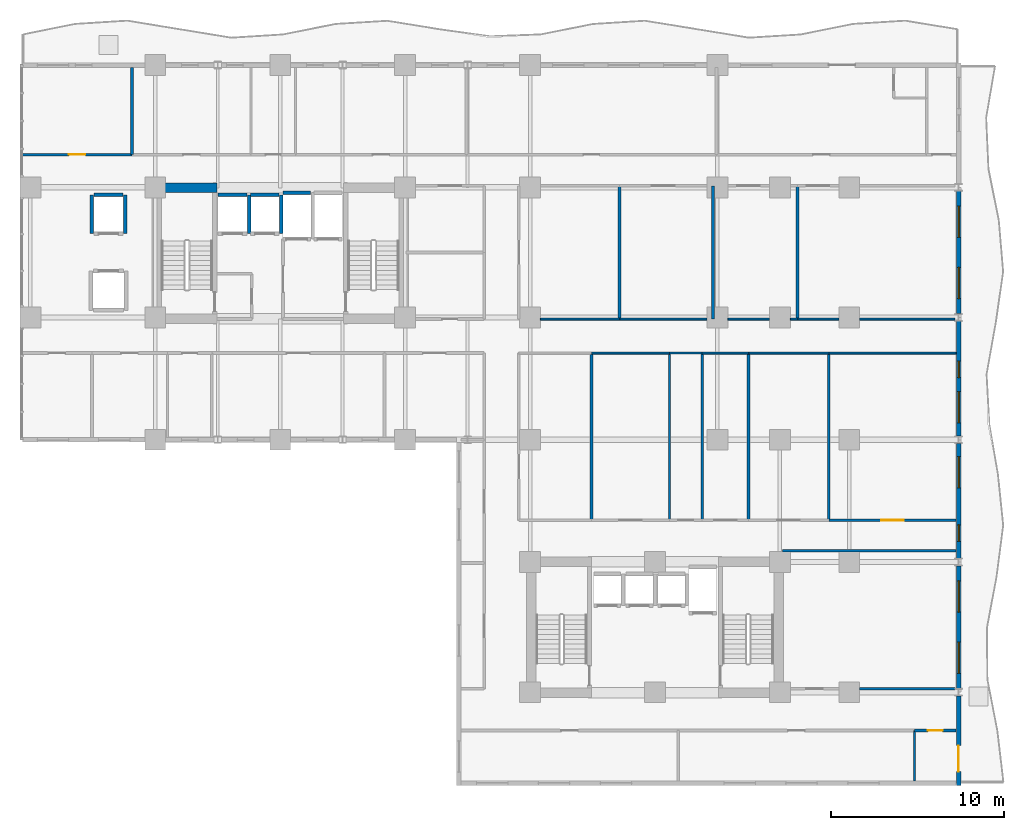
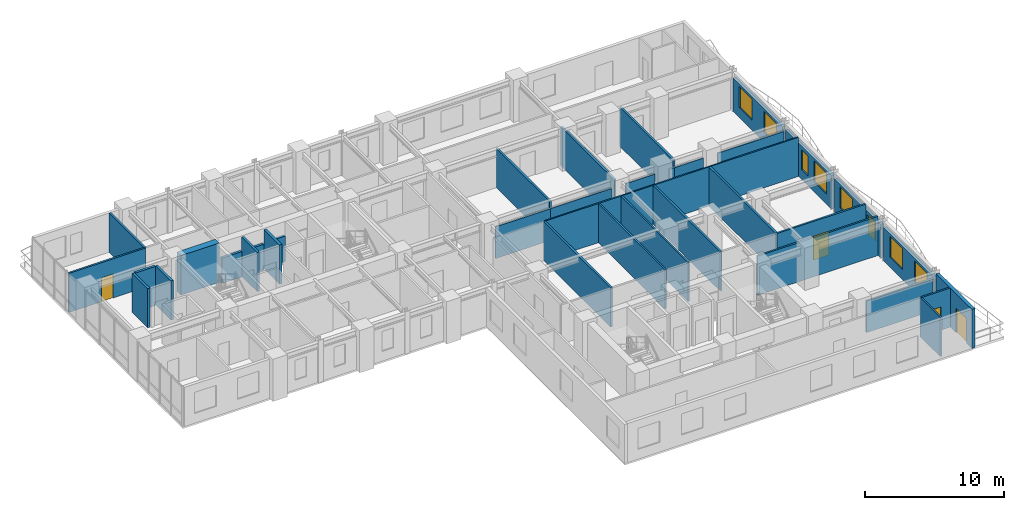
# One storey, part 13 of 18: 40 walls, 8 windows, 4 doors, 12 openings.
"""IFC4 building model written with IfcOpenShell, lengths in metres."""

from ifc_helpers import new_model, si_unit, direction, frame, frame_2d, origin, place, context, subcontext, project, spatial, rectangle, extrude, material, layer, layer_set, type_object, element, fill, save


model = new_model("IFC4")

# Units and contexts
model_context = context("Model", 3, precision=1e-05, world=origin(), true_north=direction((0.0, 1.0)))
body_context = subcontext(model_context, "Body", "Model", "MODEL_VIEW")
ifc_project = project(units=[si_unit("LENGTHUNIT", "METRE"), si_unit("AREAUNIT", "SQUARE_METRE"), si_unit("VOLUMEUNIT", "CUBIC_METRE"), si_unit("PLANEANGLEUNIT", "RADIAN"), si_unit("MASSUNIT", "GRAM", prefix="KILO")], contexts=[model_context])

# Site, building, storey
site_placement = place(None, origin())
site = spatial("IfcSite", under=ifc_project, at=site_placement, CompositionType="ELEMENT")
building_placement = place(site_placement, origin())
building = spatial("IfcBuilding", under=site, at=building_placement, Name="Kaliganga Portal Commons", CompositionType="ELEMENT")
storey_placement = place(building_placement, frame((0.0, 0.0, 93.39990234375)))
storey = spatial("IfcBuildingStorey", under=building, at=storey_placement, Name="L23", CompositionType="ELEMENT", Elevation=93.39990234375)

# Wall
ifc_material_1 = material(Name="Concrete C60/75", Category="concrete")
ifc_layer_1 = layer(ifc_material_1, 0.550048828125)
ifc_layer_set_1 = layer_set([ifc_layer_1], Name="Concrete C60/75")
wall_type_1 = type_object("IfcWallType", Name="WL-CORE-550", PredefinedType="SHEAR", material=ifc_layer_set_1)
wall_1_placement = place(storey_placement, frame((14.75, 36.125, 0.0), z_axis=(0.0, 0.0, 1.0), x_axis=(1.0, 0.0, 0.0)))
element("IfcWall", 1, at=wall_1_placement, inside=storey, type_object=wall_type_1, Name="Core A N-West Shear Wall L23", PredefinedType="SHEAR", context=body_context, shape_type="SweptSolid", body=[
    extrude(rectangle(XDim=3.199951171875, YDim=0.550048828125, at=frame_2d((1.60009765625, 0.0))), origin(), (0.0, 0.0, 1.0), 3.4501953125),
])

# Wall, opening, door
ifc_material_2 = material(Name="Insulated Aluminium-Clad Spandrel Assembly", Category="aluminium")
ifc_layer_2 = layer(ifc_material_2, 0.260009765625)
ifc_layer_set_2 = layer_set([ifc_layer_2], Name="Insulated Aluminium-Clad Spandrel Assembly")
wall_type_2 = type_object("IfcWallType", Name="WL-EXT-SPAND-260", PredefinedType="STANDARD", material=ifc_layer_set_2)
wall_2_placement = place(storey_placement, frame((60.699951171875, 6.833984375, 0.0), z_axis=(0.0, 0.0, 1.0), x_axis=(0.0, -1.0, 0.0)))
wall_2 = element("IfcWall", 2, at=wall_2_placement, inside=storey, type_object=wall_type_2, Name="Exterior Envelope Wall L23 P1-E01-S1", PredefinedType="STANDARD", context=body_context, shape_type="SweptSolid", body=[
    extrude(rectangle(XDim=5.1640625, YDim=0.260009765625, at=frame_2d((2.58203125, 0.0))), origin(), (0.0, 0.0, 1.0), 3.43017578125),
])
opening_1_placement = place(wall_2_placement, frame((2.864990234375, 0.0, 0.0)))
opening_1 = element("IfcOpeningElement", 3, at=opening_1_placement, cuts=wall_2, Name="Opening BD-01", PredefinedType="OPENING", context=body_context, shape_type="SweptSolid", body=[
    extrude(rectangle(XDim=1.5, YDim=2.14990234375, at=frame_2d((0.75, 1.074951171875))), frame((0.0, 0.14013671875, 0.0), z_axis=(0.0, -1.0, 0.0), x_axis=(1.0, 0.0, 0.0)), (0.0, 0.0, 1.0), 0.280029296875),
])
ifc_material_3 = material(Name="Anodized Aluminium and Laminated Safety Glass", Category="aluminium")
door_type_1 = type_object("IfcDoorType", Name="DR-BALC-1500", OperationType="SLIDING_TO_LEFT", PredefinedType="DOOR", material=ifc_material_3)
door_1_placement = place(opening_1_placement, origin())
door_1 = element("IfcDoor", 4, at=door_1_placement, inside=storey, type_object=door_type_1, Name="Balcony Sliding Door L23 balc_east", OperationType="SLIDING_TO_LEFT", OverallHeight=2.14990234375, OverallWidth=1.5, PredefinedType="DOOR", context=body_context, shape_type="SweptSolid", body=[
    extrude(rectangle(XDim=1.5, YDim=2.14990234375, at=frame_2d((0.75, 1.074951171875))), frame((0.0, 0.02490234375, 0.0), z_axis=(0.0, -1.0, 0.0), x_axis=(1.0, 0.0, 0.0)), (0.0, 0.0, 1.0), 0.050048828125),
])
fill(opening_1, door_1)

# Wall, openings, windows
wall_3_placement = place(storey_placement, frame((60.699951171875, 14.333984375, 0.0), z_axis=(0.0, 0.0, 1.0), x_axis=(0.0, -1.0, 0.0)))
wall_3 = element("IfcWall", 5, at=wall_3_placement, inside=storey, type_object=wall_type_2, Name="Exterior Envelope Wall L23 P1-E01-S2", PredefinedType="STANDARD", context=body_context, shape_type="SweptSolid", body=[
    extrude(rectangle(XDim=7.06787109375, YDim=0.260009765625, at=frame_2d((3.533935546875, 0.0))), origin(), (0.0, 0.0, 1.0), 2.93017578125),
])
opening_2_placement = place(wall_3_placement, frame((0.866943359375, 0.0, 0.85009765625)))
opening_2 = element("IfcOpeningElement", 6, at=opening_2_placement, cuts=wall_3, Name="Opening W-01", PredefinedType="OPENING", context=body_context, shape_type="SweptSolid", body=[
    extrude(rectangle(XDim=1.800048828125, YDim=1.85009765625, at=frame_2d((0.89990234375, 0.925048828125))), frame((0.0, 0.14013671875, 0.0), z_axis=(0.0, -1.0, 0.0), x_axis=(1.0, 0.0, 0.0)), (0.0, 0.0, 1.0), 0.280029296875),
])
opening_3_placement = place(wall_3_placement, frame((4.40087890625, 0.0, 0.85009765625)))
opening_3 = element("IfcOpeningElement", 7, at=opening_3_placement, cuts=wall_3, Name="Opening W-01", PredefinedType="OPENING", context=body_context, shape_type="SweptSolid", body=[
    extrude(rectangle(XDim=1.800048828125, YDim=1.85009765625, at=frame_2d((0.89990234375, 0.925048828125))), frame((0.0, 0.14013671875, 0.0), z_axis=(0.0, -1.0, 0.0), x_axis=(1.0, 0.0, 0.0)), (0.0, 0.0, 1.0), 0.280029296875),
])
ifc_material_4 = material(Name="Thermally Broken Aluminium and Low-E Double Glazing", Category="aluminium")
window_type_1 = type_object("IfcWindowType", Name="WIN-STD-1800", PartitioningType="DOUBLE_PANEL_VERTICAL", PredefinedType="WINDOW", material=ifc_material_4)
window_1_placement = place(opening_2_placement, origin())
window_1 = element("IfcWindow", 8, at=window_1_placement, inside=storey, type_object=window_type_1, Name="Facade Window L23-P1E01S2-00", OverallHeight=1.85009765625, OverallWidth=1.800048828125, PartitioningType="SINGLE_PANEL", PredefinedType="WINDOW", context=body_context, shape_type="SweptSolid", body=[
    extrude(rectangle(XDim=1.800048828125, YDim=1.85009765625, at=frame_2d((0.89990234375, 0.925048828125))), frame((0.0, 0.030029296875, 0.0), z_axis=(0.0, -1.0, 0.0), x_axis=(1.0, 0.0, 0.0)), (0.0, 0.0, 1.0), 0.06005859375),
])
fill(opening_2, window_1)
window_2_placement = place(opening_3_placement, origin())
window_2 = element("IfcWindow", 9, at=window_2_placement, inside=storey, type_object=window_type_1, Name="Facade Window L23-P1E01S2-01", OverallHeight=1.85009765625, OverallWidth=1.800048828125, PartitioningType="SINGLE_PANEL", PredefinedType="WINDOW", context=body_context, shape_type="SweptSolid", body=[
    extrude(rectangle(XDim=1.800048828125, YDim=1.85009765625, at=frame_2d((0.89990234375, 0.925048828125))), frame((0.0, 0.030029296875, 0.0), z_axis=(0.0, -1.0, 0.0), x_axis=(1.0, 0.0, 0.0)), (0.0, 0.0, 1.0), 0.06005859375),
])
fill(opening_3, window_2)

wall_4_placement = place(storey_placement, frame((60.699951171875, 21.384033203125, 0.0), z_axis=(0.0, 0.0, 1.0), x_axis=(0.0, -1.0, 0.0)))
wall_4 = element("IfcWall", 10, at=wall_4_placement, inside=storey, type_object=wall_type_2, Name="Exterior Envelope Wall L23 P1-E01-S3", PredefinedType="STANDARD", context=body_context, shape_type="SweptSolid", body=[
    extrude(rectangle(XDim=6.617919921875, YDim=0.260009765625, at=frame_2d((3.30908203125, 0.0))), origin(), (0.0, 0.0, 1.0), 2.93017578125),
])
opening_4_placement = place(wall_4_placement, frame((0.75439453125, 0.0, 0.85009765625)))
opening_4 = element("IfcOpeningElement", 11, at=opening_4_placement, cuts=wall_4, Name="Opening W-01", PredefinedType="OPENING", context=body_context, shape_type="SweptSolid", body=[
    extrude(rectangle(XDim=1.800048828125, YDim=1.85009765625, at=frame_2d((0.89990234375, 0.925048828125))), frame((0.0, 0.14013671875, 0.0), z_axis=(0.0, -1.0, 0.0), x_axis=(1.0, 0.0, 0.0)), (0.0, 0.0, 1.0), 0.280029296875),
])
opening_5_placement = place(wall_4_placement, frame((4.68701171875, 0.0, 0.85009765625)))
opening_5 = element("IfcOpeningElement", 12, at=opening_5_placement, cuts=wall_4, Name="Opening W-04", PredefinedType="OPENING", context=body_context, shape_type="SweptSolid", body=[
    extrude(rectangle(XDim=0.949951171875, YDim=1.75, at=frame_2d((0.47509765625, 0.875))), frame((0.0, 0.14013671875, 0.0), z_axis=(0.0, -1.0, 0.0), x_axis=(1.0, 0.0, 0.0)), (0.0, 0.0, 1.0), 0.280029296875),
])
window_type_2 = type_object("IfcWindowType", Name="WIN-NARROW-950", PartitioningType="SINGLE_PANEL", PredefinedType="WINDOW", material=ifc_material_4)
window_3_placement = place(opening_5_placement, origin())
window_3 = element("IfcWindow", 13, at=window_3_placement, inside=storey, type_object=window_type_2, Name="Facade Window L23-P1E01S3-N10", OverallHeight=1.75, OverallWidth=0.949951171875, PartitioningType="SINGLE_PANEL", PredefinedType="WINDOW", context=body_context, shape_type="SweptSolid", body=[
    extrude(rectangle(XDim=0.949951171875, YDim=1.75, at=frame_2d((0.47509765625, 0.875))), frame((0.0, 0.030029296875, 0.0), z_axis=(0.0, -1.0, 0.0), x_axis=(1.0, 0.0, 0.0)), (0.0, 0.0, 1.0), 0.06005859375),
])
fill(opening_5, window_3)
window_4_placement = place(opening_4_placement, origin())
window_4 = element("IfcWindow", 14, at=window_4_placement, inside=storey, type_object=window_type_1, Name="Facade Window L23-P1E01S3-00", OverallHeight=1.85009765625, OverallWidth=1.800048828125, PartitioningType="SINGLE_PANEL", PredefinedType="WINDOW", context=body_context, shape_type="SweptSolid", body=[
    extrude(rectangle(XDim=1.800048828125, YDim=1.85009765625, at=frame_2d((0.89990234375, 0.925048828125))), frame((0.0, 0.030029296875, 0.0), z_axis=(0.0, -1.0, 0.0), x_axis=(1.0, 0.0, 0.0)), (0.0, 0.0, 1.0), 0.06005859375),
])
fill(opening_4, window_4)

wall_5_placement = place(storey_placement, frame((60.699951171875, 28.43408203125, 0.0), z_axis=(0.0, 0.0, 1.0), x_axis=(0.0, -1.0, 0.0)))
wall_5 = element("IfcWall", 15, at=wall_5_placement, inside=storey, type_object=wall_type_2, Name="Exterior Envelope Wall L23 P1-E01-S4", PredefinedType="STANDARD", context=body_context, shape_type="SweptSolid", body=[
    extrude(rectangle(XDim=6.6181640625, YDim=0.260009765625, at=frame_2d((3.30908203125, 0.0))), origin(), (0.0, 0.0, 1.0), 2.93017578125),
])
opening_6_placement = place(wall_5_placement, frame((4.0634765625, 0.0, 0.85009765625)))
opening_6 = element("IfcOpeningElement", 16, at=opening_6_placement, cuts=wall_5, Name="Opening W-01", PredefinedType="OPENING", context=body_context, shape_type="SweptSolid", body=[
    extrude(rectangle(XDim=1.800048828125, YDim=1.85009765625, at=frame_2d((0.89990234375, 0.925048828125))), frame((0.0, 0.14013671875, 0.0), z_axis=(0.0, -1.0, 0.0), x_axis=(1.0, 0.0, 0.0)), (0.0, 0.0, 1.0), 0.280029296875),
])
opening_7_placement = place(wall_5_placement, frame((2.3046875, 0.0, 0.85009765625)))
opening_7 = element("IfcOpeningElement", 17, at=opening_7_placement, cuts=wall_5, Name="Opening W-04", PredefinedType="OPENING", context=body_context, shape_type="SweptSolid", body=[
    extrude(rectangle(XDim=0.949951171875, YDim=1.75, at=frame_2d((0.47509765625, 0.875))), frame((0.0, 0.14013671875, 0.0), z_axis=(0.0, -1.0, 0.0), x_axis=(1.0, 0.0, 0.0)), (0.0, 0.0, 1.0), 0.280029296875),
])
window_5_placement = place(opening_7_placement, origin())
window_5 = element("IfcWindow", 18, at=window_5_placement, inside=storey, type_object=window_type_2, Name="Facade Window L23-P1E01S4-N5", OverallHeight=1.75, OverallWidth=0.949951171875, PartitioningType="SINGLE_PANEL", PredefinedType="WINDOW", context=body_context, shape_type="SweptSolid", body=[
    extrude(rectangle(XDim=0.949951171875, YDim=1.75, at=frame_2d((0.47509765625, 0.875))), frame((0.0, 0.030029296875, 0.0), z_axis=(0.0, -1.0, 0.0), x_axis=(1.0, 0.0, 0.0)), (0.0, 0.0, 1.0), 0.06005859375),
])
fill(opening_7, window_5)
window_6_placement = place(opening_6_placement, origin())
window_6 = element("IfcWindow", 19, at=window_6_placement, inside=storey, type_object=window_type_1, Name="Facade Window L23-P1E01S4-01", OverallHeight=1.85009765625, OverallWidth=1.800048828125, PartitioningType="SINGLE_PANEL", PredefinedType="WINDOW", context=body_context, shape_type="SweptSolid", body=[
    extrude(rectangle(XDim=1.800048828125, YDim=1.85009765625, at=frame_2d((0.89990234375, 0.925048828125))), frame((0.0, 0.030029296875, 0.0), z_axis=(0.0, -1.0, 0.0), x_axis=(1.0, 0.0, 0.0)), (0.0, 0.0, 1.0), 0.06005859375),
])
fill(opening_6, window_6)

wall_6_placement = place(storey_placement, frame((60.699951171875, 35.93408203125, 0.0), z_axis=(0.0, 0.0, 1.0), x_axis=(0.0, -1.0, 0.0)))
wall_6 = element("IfcWall", 20, at=wall_6_placement, inside=storey, type_object=wall_type_2, Name="Exterior Envelope Wall L23 P1-E01-S5", PredefinedType="STANDARD", context=body_context, shape_type="SweptSolid", body=[
    extrude(rectangle(XDim=7.068115234375, YDim=0.260009765625, at=frame_2d((3.5341796875, 0.0))), origin(), (0.0, 0.0, 1.0), 2.93017578125),
])
opening_8_placement = place(wall_6_placement, frame((0.866943359375, 0.0, 0.85009765625)))
opening_8 = element("IfcOpeningElement", 21, at=opening_8_placement, cuts=wall_6, Name="Opening W-01", PredefinedType="OPENING", context=body_context, shape_type="SweptSolid", body=[
    extrude(rectangle(XDim=1.800048828125, YDim=1.85009765625, at=frame_2d((0.89990234375, 0.925048828125))), frame((0.0, 0.14013671875, 0.0), z_axis=(0.0, -1.0, 0.0), x_axis=(1.0, 0.0, 0.0)), (0.0, 0.0, 1.0), 0.280029296875),
])
opening_9_placement = place(wall_6_placement, frame((4.40087890625, 0.0, 0.85009765625)))
opening_9 = element("IfcOpeningElement", 22, at=opening_9_placement, cuts=wall_6, Name="Opening W-01", PredefinedType="OPENING", context=body_context, shape_type="SweptSolid", body=[
    extrude(rectangle(XDim=1.800048828125, YDim=1.85009765625, at=frame_2d((0.89990234375, 0.925048828125))), frame((0.0, 0.14013671875, 0.0), z_axis=(0.0, -1.0, 0.0), x_axis=(1.0, 0.0, 0.0)), (0.0, 0.0, 1.0), 0.280029296875),
])
window_7_placement = place(opening_8_placement, origin())
window_7 = element("IfcWindow", 23, at=window_7_placement, inside=storey, type_object=window_type_1, Name="Facade Window L23-P1E01S5-00", OverallHeight=1.85009765625, OverallWidth=1.800048828125, PartitioningType="SINGLE_PANEL", PredefinedType="WINDOW", context=body_context, shape_type="SweptSolid", body=[
    extrude(rectangle(XDim=1.800048828125, YDim=1.85009765625, at=frame_2d((0.89990234375, 0.925048828125))), frame((0.0, 0.030029296875, 0.0), z_axis=(0.0, -1.0, 0.0), x_axis=(1.0, 0.0, 0.0)), (0.0, 0.0, 1.0), 0.06005859375),
])
fill(opening_8, window_7)
window_8_placement = place(opening_9_placement, origin())
window_8 = element("IfcWindow", 24, at=window_8_placement, inside=storey, type_object=window_type_1, Name="Facade Window L23-P1E01S5-01", OverallHeight=1.85009765625, OverallWidth=1.800048828125, PartitioningType="SINGLE_PANEL", PredefinedType="WINDOW", context=body_context, shape_type="SweptSolid", body=[
    extrude(rectangle(XDim=1.800048828125, YDim=1.85009765625, at=frame_2d((0.89990234375, 0.925048828125))), frame((0.0, 0.030029296875, 0.0), z_axis=(0.0, -1.0, 0.0), x_axis=(1.0, 0.0, 0.0)), (0.0, 0.0, 1.0), 0.06005859375),
])
fill(opening_9, window_8)

# Walls
ifc_material_5 = material(Name="Fire-Rated Gypsum Board on Steel Stud", Category="steel")
ifc_layer_3 = layer(ifc_material_5, 0.14990234375)
ifc_layer_set_3 = layer_set([ifc_layer_3], Name="Fire-Rated Gypsum Board on Steel Stud")
wall_type_3 = type_object("IfcWallType", Name="WL-PART-CORR-150", PredefinedType="PARTITIONING", material=ifc_layer_set_3)
wall_7_placement = place(storey_placement, frame((55.0, 7.239990234375, 0.0), z_axis=(0.0, 0.0, 1.0), x_axis=(1.0, 0.0, 0.0)))
element("IfcWall", 25, at=wall_7_placement, inside=storey, type_object=wall_type_3, Name="Interior Partition L23-009", PredefinedType="PARTITIONING", context=body_context, shape_type="SweptSolid", body=[
    extrude(rectangle(XDim=5.49560546875, YDim=0.14990234375, at=frame_2d((2.747802734375, 0.0))), origin(), (0.0, 0.0, 1.0), 2.780029296875),
])
wall_8_placement = place(storey_placement, frame((50.56005859375, 15.199951171875, 0.0), z_axis=(0.0, 0.0, 1.0), x_axis=(1.0, 0.0, 0.0)))
element("IfcWall", 26, at=wall_8_placement, inside=storey, type_object=wall_type_3, Name="Interior Partition L23-010", PredefinedType="PARTITIONING", context=body_context, shape_type="SweptSolid", body=[
    extrude(rectangle(XDim=10.008056640625, YDim=0.14990234375, at=frame_2d((5.00390625, 0.0))), origin(), (0.0, 0.0, 1.0), 3.43017578125),
])

# Wall, opening, door
wall_9_placement = place(storey_placement, frame((53.219970703125, 16.9599609375, 0.0), z_axis=(0.0, 0.0, 1.0), x_axis=(1.0, 0.0, 0.0)))
wall_9 = element("IfcWall", 27, at=wall_9_placement, inside=storey, type_object=wall_type_3, Name="Interior Partition L23-017", PredefinedType="PARTITIONING", context=body_context, shape_type="SweptSolid", body=[
    extrude(rectangle(XDim=7.34814453125, YDim=0.14990234375, at=frame_2d((3.674072265625, 0.0))), origin(), (0.0, 0.0, 1.0), 3.43017578125),
])
opening_10_placement = place(wall_9_placement, frame((3.02392578125, 0.0, 0.0)))
opening_10 = element("IfcOpeningElement", 28, at=opening_10_placement, cuts=wall_9, Name="Opening RD-03", PredefinedType="OPENING", context=body_context, shape_type="SweptSolid", body=[
    extrude(rectangle(XDim=1.300048828125, YDim=2.1201171875, at=frame_2d((0.64990234375, 1.06005859375))), frame((0.0, 0.0849609375, 0.0), z_axis=(0.0, -1.0, 0.0), x_axis=(1.0, 0.0, 0.0)), (0.0, 0.0, 1.0), 0.169921875),
])
ifc_material_6 = material(Name="Glazed Timber Seminar Vision Door", Category="wood")
door_type_2 = type_object("IfcDoorType", Name="DR-STUDY-1300", OperationType="DOUBLE_DOOR_SINGLE_SWING", PredefinedType="DOOR", material=ifc_material_6)
door_2_placement = place(opening_10_placement, origin())
door_2 = element("IfcDoor", 29, at=door_2_placement, inside=storey, type_object=door_type_2, Name="Interior Door L23-BM05", OperationType="DOUBLE_DOOR_SINGLE_SWING", OverallHeight=2.1201171875, OverallWidth=1.300048828125, PredefinedType="DOOR", context=body_context, shape_type="SweptSolid", body=[
    extrude(rectangle(XDim=1.300048828125, YDim=2.1201171875, at=frame_2d((0.64990234375, 1.06005859375))), frame((0.0, 0.02490234375, 0.0), z_axis=(0.0, -1.0, 0.0), x_axis=(1.0, 0.0, 0.0)), (0.0, 0.0, 1.0), 0.050048828125),
])
fill(opening_10, door_2)

wall_10_placement = place(storey_placement, frame((6.719970703125, 38.0400390625, 0.0), z_axis=(0.0, 0.0, 1.0), x_axis=(1.0, 0.0, 0.0)))
wall_10 = element("IfcWall", 30, at=wall_10_placement, inside=storey, type_object=wall_type_3, Name="Interior Partition L23-021", PredefinedType="PARTITIONING", context=body_context, shape_type="SweptSolid", body=[
    extrude(rectangle(XDim=6.340087890625, YDim=0.14990234375, at=frame_2d((3.169921875, 0.0))), origin(), (0.0, 0.0, 1.0), 3.43017578125),
])
opening_11_placement = place(wall_10_placement, frame((2.695068359375, 0.0, 0.0)))
opening_11 = element("IfcOpeningElement", 31, at=opening_11_placement, cuts=wall_10, Name="Opening UD-01", PredefinedType="OPENING", context=body_context, shape_type="SweptSolid", body=[
    extrude(rectangle(XDim=0.949951171875, YDim=2.10009765625, at=frame_2d((0.47509765625, 1.050048828125))), frame((0.0, 0.0849609375, 0.0), z_axis=(0.0, -1.0, 0.0), x_axis=(1.0, 0.0, 0.0)), (0.0, 0.0, 1.0), 0.169921875),
])
ifc_material_7 = material(Name="Solid-Core Timber Acoustic Fire Door", Category="wood")
door_type_3 = type_object("IfcDoorType", Name="DR-UNIT-950", OperationType="NOTDEFINED", PredefinedType="DOOR", material=ifc_material_7)
door_3_placement = place(opening_11_placement, origin())
door_3 = element("IfcDoor", 32, at=door_3_placement, inside=storey, type_object=door_type_3, Name="Interior Door L23-AN01", OperationType="SINGLE_SWING_LEFT", OverallHeight=2.10009765625, OverallWidth=0.949951171875, PredefinedType="DOOR", context=body_context, shape_type="SweptSolid", body=[
    extrude(rectangle(XDim=0.949951171875, YDim=2.10009765625, at=frame_2d((0.47509765625, 1.050048828125))), frame((0.0, 0.02490234375, 0.0), z_axis=(0.0, -1.0, 0.0), x_axis=(1.0, 0.0, 0.0)), (0.0, 0.0, 1.0), 0.050048828125),
])
fill(opening_11, door_3)

wall_11_placement = place(storey_placement, frame((58.159912109375, 4.840087890625, 0.0), z_axis=(0.0, 0.0, 1.0), x_axis=(1.0, 0.0, 0.0)))
wall_11 = element("IfcWall", 33, at=wall_11_placement, inside=storey, type_object=wall_type_3, Name="Interior Partition L23-041", PredefinedType="PARTITIONING", context=body_context, shape_type="SweptSolid", body=[
    extrude(rectangle(XDim=2.408203125, YDim=0.14990234375, at=frame_2d((1.2041015625, 0.0))), origin(), (0.0, 0.0, 1.0), 3.43017578125),
])
opening_12_placement = place(wall_11_placement, frame((0.779052734375, 0.0, 0.0)))
opening_12 = element("IfcOpeningElement", 34, at=opening_12_placement, cuts=wall_11, Name="Opening WD-01", PredefinedType="OPENING", context=body_context, shape_type="SweptSolid", body=[
    extrude(rectangle(XDim=0.85009765625, YDim=2.0400390625, at=frame_2d((0.425048828125, 1.02001953125))), frame((0.0, 0.0849609375, 0.0), z_axis=(0.0, -1.0, 0.0), x_axis=(1.0, 0.0, 0.0)), (0.0, 0.0, 1.0), 0.169921875),
])
ifc_material_8 = material(Name="Moisture-Resistant Laminate Timber Door", Category="wood")
door_type_4 = type_object("IfcDoorType", Name="DR-WET-850", OperationType="NOTDEFINED", PredefinedType="DOOR", material=ifc_material_8)
door_4_placement = place(opening_12_placement, origin())
door_4 = element("IfcDoor", 35, at=door_4_placement, inside=storey, type_object=door_type_4, Name="Interior Door L23-BS03", OperationType="SINGLE_SWING_LEFT", OverallHeight=2.0400390625, OverallWidth=0.85009765625, PredefinedType="DOOR", context=body_context, shape_type="SweptSolid", body=[
    extrude(rectangle(XDim=0.85009765625, YDim=2.0400390625, at=frame_2d((0.425048828125, 1.02001953125))), frame((0.0, 0.02490234375, 0.0), z_axis=(0.0, -1.0, 0.0), x_axis=(1.0, 0.0, 0.0)), (0.0, 0.0, 1.0), 0.050048828125),
])
fill(opening_12, door_4)

# Walls
ifc_material_9 = material(Name="Moisture-Resistant Gypsum Partition", Category="gypsum")
ifc_layer_4 = layer(ifc_material_9, 0.114990234375)
ifc_layer_set_4 = layer_set([ifc_layer_4], Name="Moisture-Resistant Gypsum Partition")
wall_type_4 = type_object("IfcWallType", Name="WL-PART-ROOM-115", PredefinedType="PARTITIONING", material=ifc_layer_set_4)
wall_12_placement = place(storey_placement, frame((51.419921875, 28.56005859375, 0.0), z_axis=(0.0, 0.0, 1.0), x_axis=(1.0, 0.0, 0.0)))
element("IfcWall", 36, at=wall_12_placement, inside=storey, type_object=wall_type_4, Name="Interior Partition L23-052", PredefinedType="PARTITIONING", context=body_context, shape_type="SweptSolid", body=[
    extrude(rectangle(XDim=2.380126953125, YDim=0.114990234375, at=frame_2d((1.18994140625, 0.0))), origin(), (0.0, 0.0, 1.0), 2.780029296875),
])
wall_13_placement = place(storey_placement, frame((55.0, 28.56005859375, 0.0), z_axis=(0.0, 0.0, 1.0), x_axis=(1.0, 0.0, 0.0)))
element("IfcWall", 37, at=wall_13_placement, inside=storey, type_object=wall_type_4, Name="Interior Partition L23-053", PredefinedType="PARTITIONING", context=body_context, shape_type="SweptSolid", body=[
    extrude(rectangle(XDim=5.49560546875, YDim=0.114990234375, at=frame_2d((2.747802734375, 0.0))), origin(), (0.0, 0.0, 1.0), 2.780029296875),
])
wall_14_placement = place(storey_placement, frame((53.219970703125, 26.60009765625, 0.0), z_axis=(0.0, 0.0, 1.0), x_axis=(1.0, 0.0, 0.0)))
element("IfcWall", 38, at=wall_14_placement, inside=storey, type_object=wall_type_4, Name="Interior Partition L23-057", PredefinedType="PARTITIONING", context=body_context, shape_type="SweptSolid", body=[
    extrude(rectangle(XDim=7.34814453125, YDim=0.114990234375, at=frame_2d((3.674072265625, 0.0))), origin(), (0.0, 0.0, 1.0), 3.43017578125),
])
wall_15_placement = place(storey_placement, frame((36.60009765625, 28.56005859375, 0.0), z_axis=(0.0, 0.0, 1.0), x_axis=(1.0, 0.0, 0.0)))
element("IfcWall", 39, at=wall_15_placement, inside=storey, type_object=wall_type_4, Name="Interior Partition L23-058", PredefinedType="PARTITIONING", context=body_context, shape_type="SweptSolid", body=[
    extrude(rectangle(XDim=4.559814453125, YDim=0.114990234375, at=frame_2d((2.27978515625, 0.0))), origin(), (0.0, 0.0, 1.0), 2.780029296875),
])
wall_16_placement = place(storey_placement, frame((41.159912109375, 28.56005859375, 0.0), z_axis=(0.0, 0.0, 1.0), x_axis=(1.0, 0.0, 0.0)))
element("IfcWall", 40, at=wall_16_placement, inside=storey, type_object=wall_type_4, Name="Interior Partition L23-059", PredefinedType="PARTITIONING", context=body_context, shape_type="SweptSolid", body=[
    extrude(rectangle(XDim=5.0400390625, YDim=0.114990234375, at=frame_2d((2.52001953125, 0.0))), origin(), (0.0, 0.0, 1.0), 2.780029296875),
])
wall_17_placement = place(storey_placement, frame((47.39990234375, 28.56005859375, 0.0), z_axis=(0.0, 0.0, 1.0), x_axis=(1.0, 0.0, 0.0)))
element("IfcWall", 41, at=wall_17_placement, inside=storey, type_object=wall_type_4, Name="Interior Partition L23-069", PredefinedType="PARTITIONING", context=body_context, shape_type="SweptSolid", body=[
    extrude(rectangle(XDim=2.400146484375, YDim=0.114990234375, at=frame_2d((1.2001953125, 0.0))), origin(), (0.0, 0.0, 1.0), 2.780029296875),
])
wall_18_placement = place(storey_placement, frame((51.0, 28.56005859375, 0.0), z_axis=(0.0, 0.0, 1.0), x_axis=(1.0, 0.0, 0.0)))
element("IfcWall", 42, at=wall_18_placement, inside=storey, type_object=wall_type_4, Name="Interior Partition L23-070", PredefinedType="PARTITIONING", context=body_context, shape_type="SweptSolid", body=[
    extrude(rectangle(XDim=0.419921875, YDim=0.114990234375, at=frame_2d((0.2099609375, 0.0))), origin(), (0.0, 0.0, 1.0), 2.780029296875),
])
wall_19_placement = place(storey_placement, frame((48.60009765625, 26.60009765625, 0.0), z_axis=(0.0, 0.0, 1.0), x_axis=(1.0, 0.0, 0.0)))
element("IfcWall", 43, at=wall_19_placement, inside=storey, type_object=wall_type_4, Name="Interior Partition L23-071", PredefinedType="PARTITIONING", context=body_context, shape_type="SweptSolid", body=[
    extrude(rectangle(XDim=4.619873046875, YDim=0.114990234375, at=frame_2d((2.31005859375, 0.0))), origin(), (0.0, 0.0, 1.0), 3.43017578125),
])
wall_20_placement = place(storey_placement, frame((39.5400390625, 26.60009765625, 0.0), z_axis=(0.0, 0.0, 1.0), x_axis=(1.0, 0.0, 0.0)))
element("IfcWall", 44, at=wall_20_placement, inside=storey, type_object=wall_type_4, Name="Interior Partition L23-074", PredefinedType="PARTITIONING", context=body_context, shape_type="SweptSolid", body=[
    extrude(rectangle(XDim=4.5, YDim=0.114990234375, at=frame_2d((2.25, 0.0))), origin(), (0.0, 0.0, 1.0), 3.43017578125),
])
wall_21_placement = place(storey_placement, frame((45.919921875, 26.60009765625, 0.0), z_axis=(0.0, 0.0, 1.0), x_axis=(1.0, 0.0, 0.0)))
element("IfcWall", 45, at=wall_21_placement, inside=storey, type_object=wall_type_4, Name="Interior Partition L23-080", PredefinedType="PARTITIONING", context=body_context, shape_type="SweptSolid", body=[
    extrude(rectangle(XDim=2.68017578125, YDim=0.114990234375, at=frame_2d((1.340087890625, 0.0))), origin(), (0.0, 0.0, 1.0), 3.43017578125),
])
ifc_material_10 = material(Name="Twin-Stud Acoustic Gypsum Partition", Category="gypsum")
ifc_layer_5 = layer(ifc_material_10, 0.1650390625)
ifc_layer_set_5 = layer_set([ifc_layer_5], Name="Twin-Stud Acoustic Gypsum Partition")
wall_type_5 = type_object("IfcWallType", Name="WL-PART-UNIT-165", PredefinedType="PARTITIONING", material=ifc_layer_set_5)
for number, where, z_axis, x_axis, name in (
    (46, (39.5400390625, 16.9599609375, 0.0), (0.0, 0.0, 1.0), (0.0, 1.0, 0.0), "Interior Partition L23-047"),
    (47, (48.60009765625, 16.9599609375, 0.0), (0.0, 0.0, 1.0), (0.0, 1.0, 0.0), "Interior Partition L23-050"),
    (48, (53.219970703125, 16.9599609375, 0.0), (0.0, 0.0, 1.0), (0.0, 1.0, 0.0), "Interior Partition L23-051"),
):
    element("IfcWall", number, at=place(storey_placement, frame(where, z_axis=z_axis, x_axis=x_axis)), inside=storey, type_object=wall_type_5, Name=name, PredefinedType="PARTITIONING", context=body_context, shape_type="SweptSolid", body=[
        extrude(rectangle(XDim=9.64013671875, YDim=0.1650390625, at=frame_2d((4.820068359375, 0.0))), origin(), (0.0, 0.0, 1.0), 3.43017578125),
    ])
for number, where, z_axis, x_axis, name in (
    (49, (41.159912109375, 28.56005859375, 0.0), (0.0, 0.0, 1.0), (0.0, 1.0, 0.0), "Interior Partition L23-054"),
    (50, (46.5400390625, 28.56005859375, 0.0), (0.0, 0.0, 1.0), (0.0, 1.0, 0.0), "Interior Partition L23-055"),
    (51, (51.419921875, 28.56005859375, 0.0), (0.0, 0.0, 1.0), (0.0, 1.0, 0.0), "Interior Partition L23-056"),
):
    element("IfcWall", number, at=place(storey_placement, frame(where, z_axis=z_axis, x_axis=x_axis)), inside=storey, type_object=wall_type_5, Name=name, PredefinedType="PARTITIONING", context=body_context, shape_type="SweptSolid", body=[
        extrude(rectangle(XDim=7.679931640625, YDim=0.1650390625, at=frame_2d((3.83984375, 0.0))), origin(), (0.0, 0.0, 1.0), 3.43017578125),
    ])
wall_22_placement = place(storey_placement, frame((13.06005859375, 38.0400390625, 0.0), z_axis=(0.0, 0.0, 1.0), x_axis=(0.0, 1.0, 0.0)))
element("IfcWall", 52, at=wall_22_placement, inside=storey, type_object=wall_type_5, Name="Interior Partition L23-060", PredefinedType="PARTITIONING", context=body_context, shape_type="SweptSolid", body=[
    extrude(rectangle(XDim=5.028076171875, YDim=0.1650390625, at=frame_2d((2.51416015625, 0.0))), origin(), (0.0, 0.0, 1.0), 3.43017578125),
])
ifc_material_11 = material(Name="Cement-Board Wet-Room Partition", Category="gypsum")
ifc_layer_6 = layer(ifc_material_11, 0.135009765625)
ifc_layer_set_6 = layer_set([ifc_layer_6], Name="Cement-Board Wet-Room Partition")
wall_type_6 = type_object("IfcWallType", Name="WL-PART-WET-135", PredefinedType="PARTITIONING", material=ifc_layer_set_6)
for number, where, z_axis, x_axis, name in (
    (53, (44.0400390625, 16.9599609375, 0.0), (0.0, 0.0, 1.0), (0.0, 1.0, 0.0), "Interior Partition L23-048"),
    (54, (45.919921875, 16.9599609375, 0.0), (0.0, 0.0, 1.0), (0.0, 1.0, 0.0), "Interior Partition L23-049"),
):
    element("IfcWall", number, at=place(storey_placement, frame(where, z_axis=z_axis, x_axis=x_axis)), inside=storey, type_object=wall_type_6, Name=name, PredefinedType="PARTITIONING", context=body_context, shape_type="SweptSolid", body=[
        extrude(rectangle(XDim=9.64013671875, YDim=0.135009765625, at=frame_2d((4.820068359375, 0.0))), origin(), (0.0, 0.0, 1.0), 3.43017578125),
    ])
wall_23_placement = place(storey_placement, frame((58.159912109375, 1.931884765625, 0.0), z_axis=(0.0, 0.0, 1.0), x_axis=(0.0, 1.0, 0.0)))
element("IfcWall", 55, at=wall_23_placement, inside=storey, type_object=wall_type_6, Name="Interior Partition L23-079", PredefinedType="PARTITIONING", context=body_context, shape_type="SweptSolid", body=[
    extrude(rectangle(XDim=2.908203125, YDim=0.135009765625, at=frame_2d((1.4541015625, 0.0))), origin(), (0.0, 0.0, 1.0), 3.43017578125),
])
wall_24_placement = place(storey_placement, frame((44.0400390625, 26.60009765625, 0.0), z_axis=(0.0, 0.0, 1.0), x_axis=(1.0, 0.0, 0.0)))
element("IfcWall", 56, at=wall_24_placement, inside=storey, type_object=wall_type_6, Name="Interior Partition L23-081", PredefinedType="PARTITIONING", context=body_context, shape_type="SweptSolid", body=[
    extrude(rectangle(XDim=1.8798828125, YDim=0.135009765625, at=frame_2d((0.93994140625, 0.0))), origin(), (0.0, 0.0, 1.0), 3.43017578125),
])
ifc_material_12 = material(Name="Fire-Rated Shaftwall Masonry Assembly", Category="masonry")
ifc_layer_7 = layer(ifc_material_12, 0.199951171875)
ifc_layer_set_7 = layer_set([ifc_layer_7], Name="Fire-Rated Shaftwall Masonry Assembly")
wall_type_7 = type_object("IfcWallType", Name="WL-SHAFT-200", PredefinedType="PARTITIONING", material=ifc_layer_set_7)
wall_25_placement = place(storey_placement, frame((18.02490234375, 35.715087890625, 0.0), z_axis=(0.0, 0.0, 1.0), x_axis=(1.0, 0.0, 0.0)))
element("IfcWall", 57, at=wall_25_placement, inside=storey, type_object=wall_type_7, Name="Lift PL-A1 Hoistway Shaft Wall L23-N", PredefinedType="PARTITIONING", context=body_context, shape_type="SweptSolid", body=[
    extrude(rectangle(XDim=1.650146484375, YDim=0.199951171875, at=frame_2d((0.8251953125, 0.0))), origin(), (0.0, 0.0, 1.0), 2.22998046875),
])
wall_26_placement = place(storey_placement, frame((19.81494140625, 33.485107421875, 0.0), z_axis=(0.0, 0.0, 1.0), x_axis=(0.0, 1.0, 0.0)))
element("IfcWall", 58, at=wall_26_placement, inside=storey, type_object=wall_type_7, Name="Lift PL-A1 Hoistway Shaft Wall L23-E", PredefinedType="PARTITIONING", context=body_context, shape_type="SweptSolid", body=[
    extrude(rectangle(XDim=2.22998046875, YDim=0.199951171875, at=frame_2d((1.114990234375, 0.0))), origin(), (0.0, 0.0, 1.0), 3.43017578125),
])
wall_27_placement = place(storey_placement, frame((19.875, 35.715087890625, 0.0), z_axis=(0.0, 0.0, 1.0), x_axis=(1.0, 0.0, 0.0)))
element("IfcWall", 59, at=wall_27_placement, inside=storey, type_object=wall_type_7, Name="Lift PL-A2 Hoistway Shaft Wall L23-N", PredefinedType="PARTITIONING", context=body_context, shape_type="SweptSolid", body=[
    extrude(rectangle(XDim=1.64990234375, YDim=0.199951171875, at=frame_2d((0.824951171875, 0.0))), origin(), (0.0, 0.0, 1.0), 2.22998046875),
])
wall_28_placement = place(storey_placement, frame((21.6650390625, 33.485107421875, 0.0), z_axis=(0.0, 0.0, 1.0), x_axis=(0.0, 1.0, 0.0)))
element("IfcWall", 60, at=wall_28_placement, inside=storey, type_object=wall_type_7, Name="Lift PL-A2 Hoistway Shaft Wall L23-E", PredefinedType="PARTITIONING", context=body_context, shape_type="SweptSolid", body=[
    extrude(rectangle(XDim=2.22998046875, YDim=0.199951171875, at=frame_2d((1.114990234375, 0.0))), origin(), (0.0, 0.0, 1.0), 3.43017578125),
])
wall_29_placement = place(storey_placement, frame((10.875, 35.715087890625, 0.0), z_axis=(0.0, 0.0, 1.0), x_axis=(1.0, 0.0, 0.0)))
element("IfcWall", 61, at=wall_29_placement, inside=storey, type_object=wall_type_7, Name="Lift PL-OBS Hoistway Shaft Wall L23-N", PredefinedType="PARTITIONING", context=body_context, shape_type="SweptSolid", body=[
    extrude(rectangle(XDim=1.64990234375, YDim=0.199951171875, at=frame_2d((0.824951171875, 0.0))), origin(), (0.0, 0.0, 1.0), 3.43017578125),
])
for number, where, z_axis, x_axis, name in (
    (62, (10.735107421875, 33.485107421875, 0.0), (0.0, 0.0, 1.0), (0.0, 1.0, 0.0), "Lift PL-OBS Hoistway Shaft Wall L23-W"),
    (63, (12.6650390625, 33.485107421875, 0.0), (0.0, 0.0, 1.0), (0.0, 1.0, 0.0), "Lift PL-OBS Hoistway Shaft Wall L23-E"),
):
    element("IfcWall", number, at=place(storey_placement, frame(where, z_axis=z_axis, x_axis=x_axis)), inside=storey, type_object=wall_type_7, Name=name, PredefinedType="PARTITIONING", context=body_context, shape_type="SweptSolid", body=[
        extrude(rectangle(XDim=2.22998046875, YDim=0.199951171875, at=frame_2d((1.114990234375, 0.0))), origin(), (0.0, 0.0, 1.0), 3.43017578125),
    ])
wall_30_placement = place(storey_placement, frame((21.75, 35.840087890625, 0.0), z_axis=(0.0, 0.0, 1.0), x_axis=(1.0, 0.0, 0.0)))
element("IfcWall", 64, at=wall_30_placement, inside=storey, type_object=wall_type_7, Name="Lift FFL-1 Hoistway Shaft Wall L23-N", PredefinedType="PARTITIONING", context=body_context, shape_type="SweptSolid", body=[
    extrude(rectangle(XDim=1.60009765625, YDim=0.199951171875, at=frame_2d((0.800048828125, 0.0))), origin(), (0.0, 0.0, 1.0), 2.22998046875),
])

save(model, "model.ifc")
